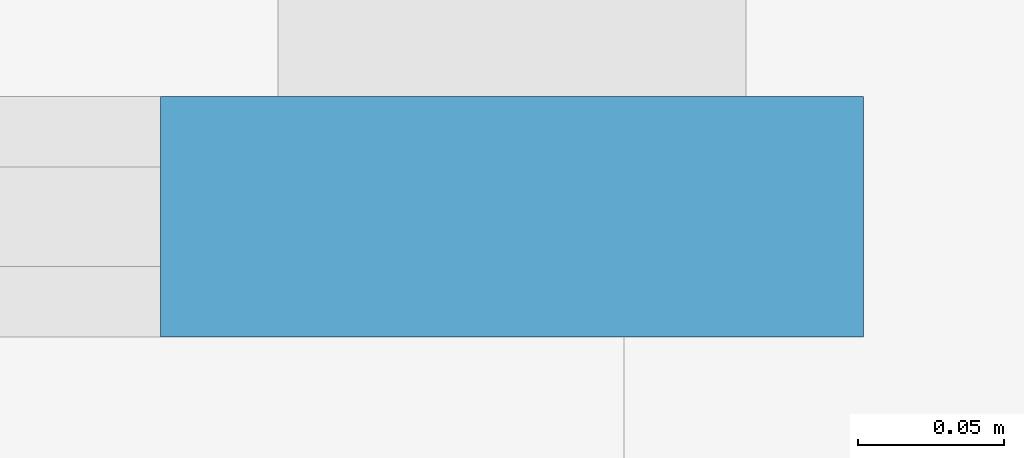
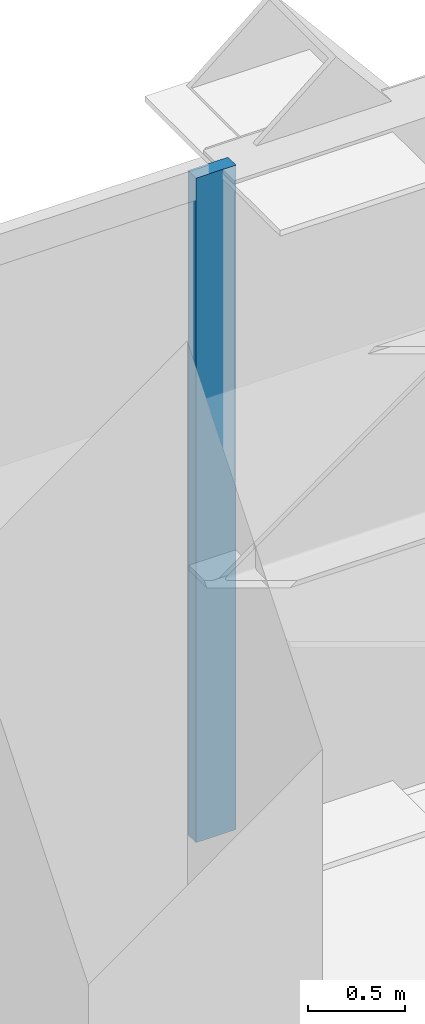
# One storey, part 11 of 30: 1 member, 1 element without a shape of its own.
"""IFC4 building model written with IfcOpenShell, lengths in metres."""

from ifc_helpers import new_model, si_unit, direction, frame, origin, origin_2d, place, context, subcontext, project, spatial, rectangle, extrude, material, material_profile, profile_set, type_object, element, aggregate, save


model = new_model("IFC4")

# Units and contexts
model_context = context("Model", 3, precision=1e-05, world=origin(), true_north=direction((0.0, 1.0)))
body_context = subcontext(model_context, "Body", "Model", "MODEL_VIEW")
ifc_project = project(units=[si_unit("LENGTHUNIT", "METRE"), si_unit("AREAUNIT", "SQUARE_METRE"), si_unit("VOLUMEUNIT", "CUBIC_METRE"), si_unit("PLANEANGLEUNIT", "RADIAN"), si_unit("MASSUNIT", "GRAM", prefix="KILO")], contexts=[model_context])

# Site, building, storey
site_placement = place(None, origin())
site = spatial("IfcSite", under=ifc_project, at=site_placement, CompositionType="ELEMENT")
building_placement = place(site_placement, origin())
building = spatial("IfcBuilding", under=site, at=building_placement, Name="Quenlor Broadcast Tower", CompositionType="ELEMENT")
storey_placement = place(building_placement, frame((0.0, 0.0, 9.5)))
storey = spatial("IfcBuildingStorey", under=building, at=storey_placement, Name="L02", CompositionType="ELEMENT", Elevation=9.5)

# Curtain wall, member
ifc_material_1 = material(Name="Architectural Terracotta and Low-E Glazing", Category="masonry")
curtain_wall_type = type_object("IfcCurtainWallType", Name="Station Concourse and Crown Terracotta Curtain Wall", PredefinedType="NOTDEFINED", material=ifc_material_1)
curtain_wall_placement = place(storey_placement, origin())
curtain_wall = element("IfcCurtainWall", 1, at=curtain_wall_placement, inside=storey, type_object=curtain_wall_type, Name="L02 Curtain Wall CW6 (L02-N-FULL-G4)", PredefinedType="NOTDEFINED")
ifc_material_2 = material(Name="Aluminium 6063-T6", Category="aluminium")
ifc_material_profile = material_profile(ifc_material_2, rectangle(XDim=0.08203125, YDim=0.239990234375, at=origin_2d()))
ifc_profile_set = profile_set([ifc_material_profile], Name="Aluminium 6063-T6 MULL82x240")
member_type = type_object("IfcMemberType", Name="CW6 Aluminium Mullion MULL_CW6", PredefinedType="MULLION", material=ifc_profile_set)
member_placement = place(storey_placement, frame((26.109619140625, 24.820068359375, 0.0), z_axis=(0.0, 0.0, 1.0), x_axis=(0.0, 1.0, 0.0)))
member = element("IfcMember", 2, at=member_placement, type_object=member_type, Name="CW6 mullion 4", PredefinedType="MULLION", context=body_context, shape_type="SweptSolid", body=[
    extrude(rectangle(XDim=0.08203125, YDim=0.239990234375, at=origin_2d()), origin(), (0.0, 0.0, 1.0), 4.199951171875),
])
aggregate(curtain_wall, [member])

save(model, "model.ifc")
